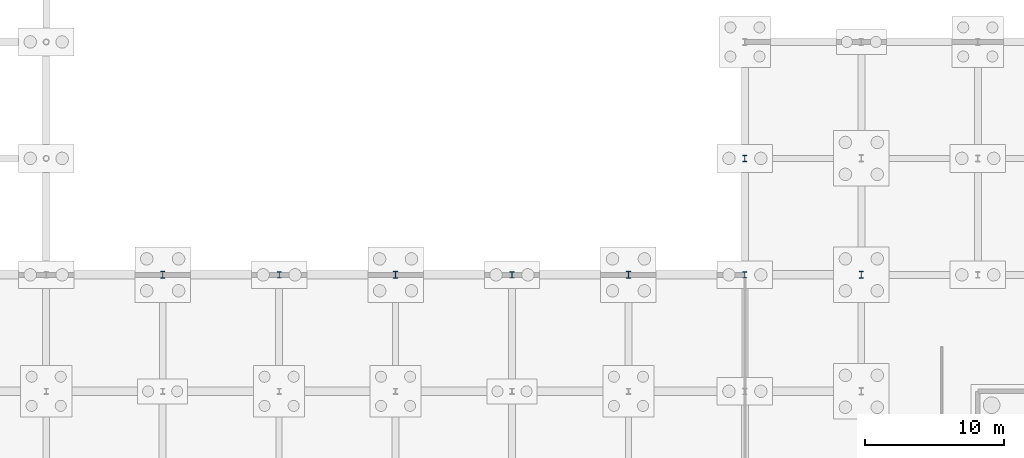
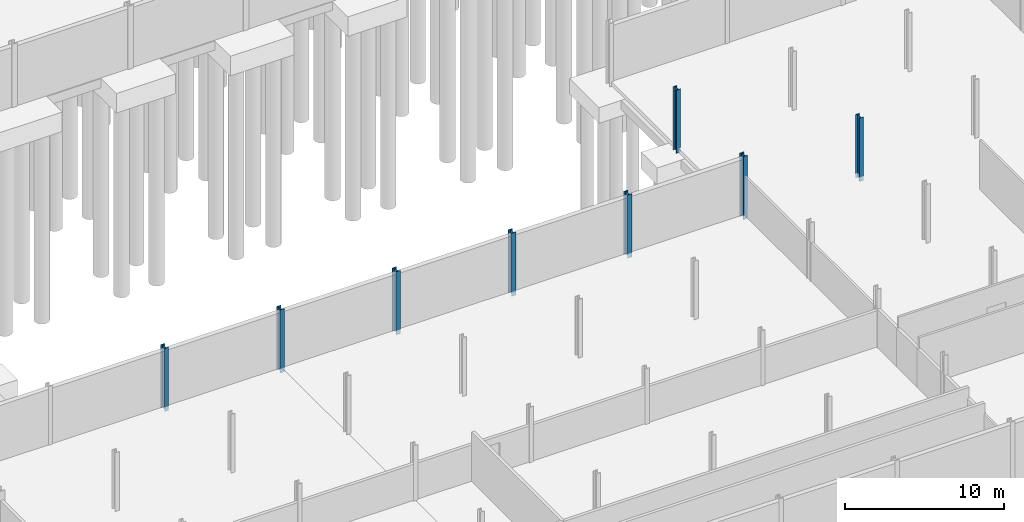
# One storey, part 18 of 51: 8 columns.
"""IFC4 building model written with IfcOpenShell, lengths in metres."""

from ifc_helpers import new_model, si_unit, direction, frame, origin, origin_2d, place, context, subcontext, project, spatial, i_section, extrude, material, material_profile, profile_set, type_object, element, save


model = new_model("IFC4")

# Units and contexts
model_context = context("Model", 3, precision=1e-05, world=origin(), true_north=direction((0.0, 1.0)))
body_context = subcontext(model_context, "Body", "Model", "MODEL_VIEW")
ifc_project = project(units=[si_unit("LENGTHUNIT", "METRE"), si_unit("AREAUNIT", "SQUARE_METRE"), si_unit("VOLUMEUNIT", "CUBIC_METRE"), si_unit("PLANEANGLEUNIT", "RADIAN"), si_unit("MASSUNIT", "GRAM", prefix="KILO")], contexts=[model_context])

# Site, building, storey
site_placement = place(None, origin())
site = spatial("IfcSite", under=ifc_project, at=site_placement, CompositionType="ELEMENT")
building_placement = place(site_placement, origin())
building = spatial("IfcBuilding", under=site, at=building_placement, Name="Qalvenar Corner Mobility Hub", CompositionType="ELEMENT")
storey_placement = place(building_placement, frame((0.0, 0.0, -4.5)))
storey = spatial("IfcBuildingStorey", under=building, at=storey_placement, Name="B1", CompositionType="ELEMENT", Elevation=-4.5)

# Columns
ifc_material = material(Name="Steel S355", Category="steel")
ifc_material_profile_1 = material_profile(ifc_material, i_section(OverallWidth=0.300048828125, OverallDepth=0.449951171875, WebThickness=0.013916015625, FlangeThickness=0.02587890625, FilletRadius=0.027099609375, at=origin_2d()), Name="HEB450")
ifc_profile_set_1 = profile_set([ifc_material_profile_1], Name="Steel S355")
column_type_1 = type_object("IfcColumnType", Name="COL-HEB450", PredefinedType="COLUMN", material=ifc_profile_set_1)
for number, where, z_axis, x_axis, name in (
    (1, (75.60009765625, 33.60009765625, -0.35009765625), (0.0, 0.0, 1.0), (1.0, 0.0, 0.0), "Steel Column B1-G10-4"),
    (2, (92.39990234375, 33.60009765625, -0.35009765625), (0.0, 0.0, 1.0), (1.0, 0.0, 0.0), "Steel Column B1-G12-4"),
    (3, (109.199951171875, 33.60009765625, -0.35009765625), (0.0, 0.0, 1.0), (1.0, 0.0, 0.0), "Steel Column B1-G14-4"),
    (4, (109.199951171875, 42.0, -0.35009765625), (0.0, 0.0, 1.0), (1.0, 0.0, 0.0), "Steel Column B1-G14-5"),
):
    element("IfcColumn", number, at=place(storey_placement, frame(where, z_axis=z_axis, x_axis=x_axis)), inside=storey, type_object=column_type_1, Name=name, PredefinedType="COLUMN", context=body_context, shape_type="SweptSolid", body=[
        extrude(i_section(OverallWidth=0.300048828125, OverallDepth=0.449951171875, WebThickness=0.013916015625, FlangeThickness=0.02587890625, FilletRadius=0.027099609375, at=origin_2d()), origin(), (0.0, 0.0, 1.0), 4.85009765625),
    ])
ifc_material_profile_2 = material_profile(ifc_material, i_section(OverallWidth=0.300048828125, OverallDepth=0.5, WebThickness=0.014404296875, FlangeThickness=0.028076171875, FilletRadius=0.027099609375, at=origin_2d()), Name="HEB500")
ifc_profile_set_2 = profile_set([ifc_material_profile_2], Name="Steel S355")
column_type_2 = type_object("IfcColumnType", Name="COL-HEB500", PredefinedType="COLUMN", material=ifc_profile_set_2)
for number, where, z_axis, x_axis, name in (
    (5, (67.199951171875, 33.60009765625, -0.35009765625), (0.0, 0.0, 1.0), (1.0, 0.0, 0.0), "Steel Column B1-G9-4"),
    (6, (84.0, 33.60009765625, -0.35009765625), (0.0, 0.0, 1.0), (1.0, 0.0, 0.0), "Steel Column B1-G11-4"),
    (7, (100.800048828125, 33.60009765625, -0.35009765625), (0.0, 0.0, 1.0), (1.0, 0.0, 0.0), "Steel Column B1-G13-4"),
    (8, (117.60009765625, 33.60009765625, -0.35009765625), (0.0, 0.0, 1.0), (1.0, 0.0, 0.0), "Steel Column B1-G15-4"),
):
    element("IfcColumn", number, at=place(storey_placement, frame(where, z_axis=z_axis, x_axis=x_axis)), inside=storey, type_object=column_type_2, Name=name, PredefinedType="COLUMN", context=body_context, shape_type="SweptSolid", body=[
        extrude(i_section(OverallWidth=0.300048828125, OverallDepth=0.5, WebThickness=0.014404296875, FlangeThickness=0.028076171875, FilletRadius=0.027099609375, at=origin_2d()), origin(), (0.0, 0.0, 1.0), 4.85009765625),
    ])

save(model, "model.ifc")
